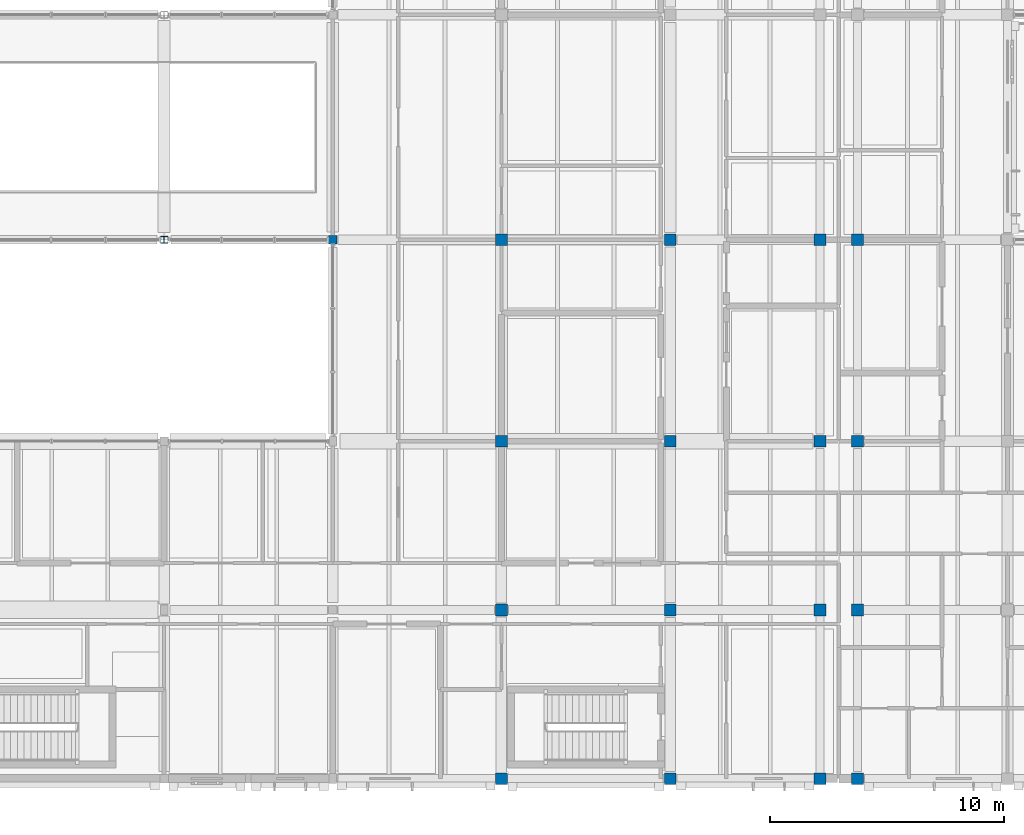
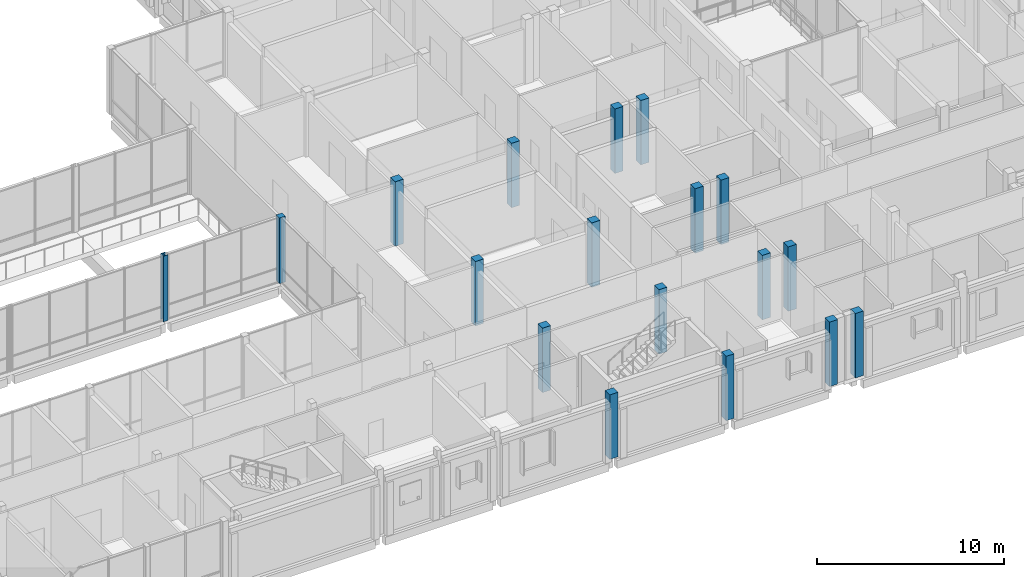
# One storey, part 11 of 146: 18 columns.
"""IFC4 building model written with IfcOpenShell, lengths in metres."""

from ifc_helpers import new_model, si_unit, direction, frame, origin, origin_2d, place, context, subcontext, project, spatial, rectangle, i_section, extrude, material, material_profile, profile_set, type_object, element, save


model = new_model("IFC4")

# Units and contexts
model_context = context("Model", 3, precision=1e-05, world=origin(), true_north=direction((0.0, 1.0)))
body_context = subcontext(model_context, "Body", "Model", "MODEL_VIEW")
ifc_project = project(units=[si_unit("LENGTHUNIT", "METRE"), si_unit("AREAUNIT", "SQUARE_METRE"), si_unit("VOLUMEUNIT", "CUBIC_METRE"), si_unit("PLANEANGLEUNIT", "RADIAN"), si_unit("MASSUNIT", "GRAM", prefix="KILO")], contexts=[model_context])

# Site, building, storey
site_placement = place(None, origin())
site = spatial("IfcSite", under=ifc_project, at=site_placement, CompositionType="ELEMENT")
building_placement = place(site_placement, origin())
building = spatial("IfcBuilding", under=site, at=building_placement, Name="Hawrajan Terrace Health Centre", CompositionType="ELEMENT")
storey_placement = place(building_placement, frame((0.0, 0.0, 4.5)))
storey = spatial("IfcBuildingStorey", under=building, at=storey_placement, Name="L01", CompositionType="ELEMENT", Elevation=4.5)

# Columns
ifc_material_1 = material(Name="Glulam GL32h", Category="wood")
ifc_material_profile_1 = material_profile(ifc_material_1, rectangle(XDim=0.360107421875, YDim=0.360107421875, at=origin_2d()), Name="GL 360x360")
ifc_profile_set_1 = profile_set([ifc_material_profile_1], Name="Glulam GL32h")
column_type_1 = type_object("IfcColumnType", Name="GlulamCol_360x360", PredefinedType="COLUMN", material=ifc_profile_set_1)
column_1_placement = place(storey_placement, frame((107.800048828125, 27.199951171875, 0.0), z_axis=(0.0, 0.0, 1.0), x_axis=(1.0, 0.0, 0.0)))
element("IfcColumn", 1, at=column_1_placement, inside=storey, type_object=column_type_1, Name="Column COL-L01-C-X14-Y4", PredefinedType="COLUMN", context=body_context, shape_type="SweptSolid", body=[
    extrude(rectangle(XDim=0.360107421875, YDim=0.360107421875, at=origin_2d()), origin(), (0.0, 0.0, 1.0), 4.300048828125),
])
ifc_material_2 = material(Name="Concrete C40/50", Category="concrete")
ifc_material_profile_2 = material_profile(ifc_material_2, rectangle(XDim=0.5, YDim=0.5, at=origin_2d()), Name="RC 500x500")
ifc_profile_set_2 = profile_set([ifc_material_profile_2], Name="Concrete C40/50")
column_type_2 = type_object("IfcColumnType", Name="RCCol_500x500", PredefinedType="COLUMN", material=ifc_profile_set_2)
for number, where, z_axis, x_axis, name in (
    (2, (115.0, 4.199951171875, 0.0), (0.0, 0.0, 1.0), (1.0, 0.0, 0.0), "Column COL-L01-C-X15-Y1"),
    (3, (115.0, 11.39990234375, 0.0), (0.0, 0.0, 1.0), (1.0, 0.0, 0.0), "Column COL-L01-C-X15-Y2"),
    (4, (115.0, 18.60009765625, 0.0), (0.0, 0.0, 1.0), (1.0, 0.0, 0.0), "Column COL-L01-C-X15-Y3"),
    (5, (115.0, 27.199951171875, 0.0), (0.0, 0.0, 1.0), (1.0, 0.0, 0.0), "Column COL-L01-C-X15-Y4"),
    (6, (122.199951171875, 4.199951171875, 0.0), (0.0, 0.0, 1.0), (1.0, 0.0, 0.0), "Column COL-L01-C-X16-Y1"),
    (7, (122.199951171875, 11.39990234375, 0.0), (0.0, 0.0, 1.0), (1.0, 0.0, 0.0), "Column COL-L01-C-X16-Y2"),
    (8, (122.199951171875, 18.60009765625, 0.0), (0.0, 0.0, 1.0), (1.0, 0.0, 0.0), "Column COL-L01-C-X16-Y3"),
    (9, (122.199951171875, 27.199951171875, 0.0), (0.0, 0.0, 1.0), (1.0, 0.0, 0.0), "Column COL-L01-C-X16-Y4"),
    (10, (128.60009765625, 4.199951171875, 0.0), (0.0, 0.0, 1.0), (1.0, 0.0, 0.0), "Column COL-L01-C-X17-Y1"),
    (11, (128.60009765625, 11.39990234375, 0.0), (0.0, 0.0, 1.0), (1.0, 0.0, 0.0), "Column COL-L01-C-X17-Y2"),
    (12, (128.60009765625, 18.60009765625, 0.0), (0.0, 0.0, 1.0), (1.0, 0.0, 0.0), "Column COL-L01-C-X17-Y3"),
    (13, (128.60009765625, 27.199951171875, 0.0), (0.0, 0.0, 1.0), (1.0, 0.0, 0.0), "Column COL-L01-C-X17-Y4"),
    (14, (130.199951171875, 4.199951171875, 0.0), (0.0, 0.0, 1.0), (1.0, 0.0, 0.0), "Column COL-L01-E-X17-Y1"),
    (15, (130.199951171875, 11.39990234375, 0.0), (0.0, 0.0, 1.0), (1.0, 0.0, 0.0), "Column COL-L01-E-X17-Y2"),
    (16, (130.199951171875, 18.60009765625, 0.0), (0.0, 0.0, 1.0), (1.0, 0.0, 0.0), "Column COL-L01-E-X17-Y3"),
    (17, (130.199951171875, 27.199951171875, 0.0), (0.0, 0.0, 1.0), (1.0, 0.0, 0.0), "Column COL-L01-E-X17-Y4"),
):
    element("IfcColumn", number, at=place(storey_placement, frame(where, z_axis=z_axis, x_axis=x_axis)), inside=storey, type_object=column_type_2, Name=name, PredefinedType="COLUMN", context=body_context, shape_type="SweptSolid", body=[
        extrude(rectangle(XDim=0.5, YDim=0.5, at=origin_2d()), origin(), (0.0, 0.0, 1.0), 4.219970703125),
    ])
ifc_material_3 = material(Name="Steel S355", Category="steel")
ifc_material_profile_3 = material_profile(ifc_material_3, i_section(OverallWidth=0.300048828125, OverallDepth=0.300048828125, WebThickness=0.010986328125, FlangeThickness=0.01904296875, FilletRadius=0.027099609375, at=origin_2d()), Name="HEB 300")
ifc_profile_set_3 = profile_set([ifc_material_profile_3], Name="Steel S355")
column_type_3 = type_object("IfcColumnType", Name="SteelCol_HEB300", PredefinedType="COLUMN", material=ifc_profile_set_3)
column_2_placement = place(storey_placement, frame((100.60009765625, 27.199951171875, 0.0), z_axis=(0.0, 0.0, 1.0), x_axis=(1.0, 0.0, 0.0)))
element("IfcColumn", 18, at=column_2_placement, inside=storey, type_object=column_type_3, Name="Column COL-L01-C-X13-Y4", PredefinedType="COLUMN", context=body_context, shape_type="SweptSolid", body=[
    extrude(i_section(OverallWidth=0.300048828125, OverallDepth=0.300048828125, WebThickness=0.010986328125, FlangeThickness=0.01904296875, FilletRadius=0.027099609375, at=origin_2d()), origin(), (0.0, 0.0, 1.0), 4.300048828125),
])

save(model, "model.ifc")
